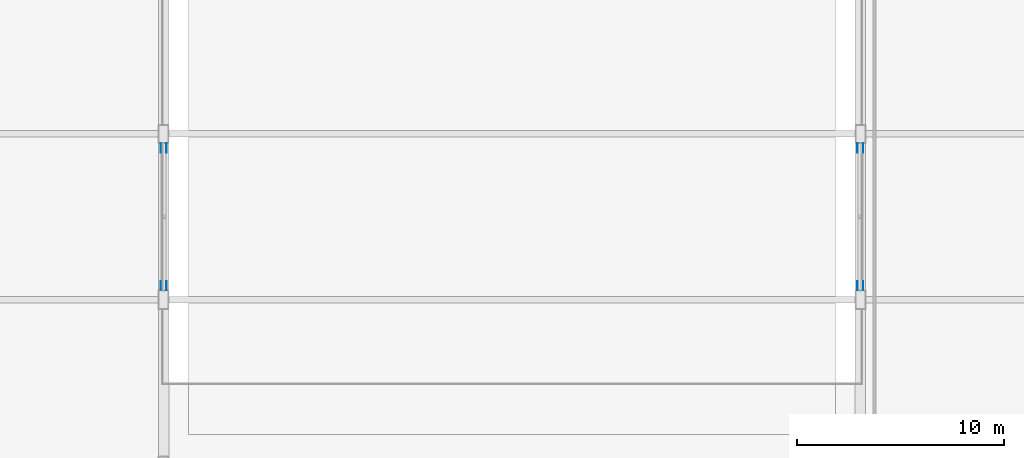
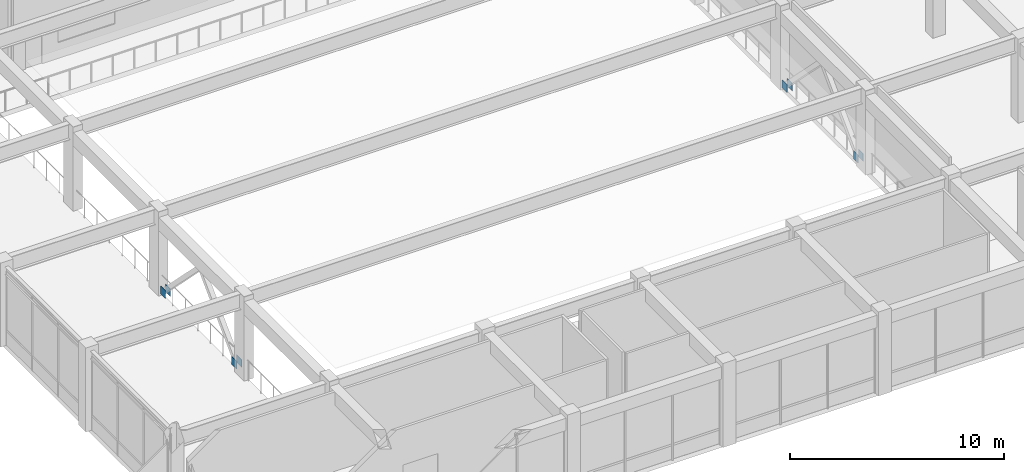
# One storey, part 70 of 76: 8 discrete accessories.
"""IFC4 building model written with IfcOpenShell, lengths in metres."""

from ifc_helpers import new_model, si_unit, direction, frame, origin, origin_2d, place, context, subcontext, project, spatial, rectangle, extrude, material, layer, layer_set, type_object, element, save


model = new_model("IFC4")

# Units and contexts
model_context = context("Model", 3, precision=1e-05, world=origin(), true_north=direction((0.0, 1.0)))
body_context = subcontext(model_context, "Body", "Model", "MODEL_VIEW")
ifc_project = project(units=[si_unit("LENGTHUNIT", "METRE"), si_unit("AREAUNIT", "SQUARE_METRE"), si_unit("VOLUMEUNIT", "CUBIC_METRE"), si_unit("PLANEANGLEUNIT", "RADIAN"), si_unit("MASSUNIT", "GRAM", prefix="KILO")], contexts=[model_context])

# Site, building, storey
site_placement = place(None, origin())
site = spatial("IfcSite", under=ifc_project, at=site_placement, CompositionType="ELEMENT")
building_placement = place(site_placement, origin())
building = spatial("IfcBuilding", under=site, at=building_placement, Name="Naruveol Harbour Congress Hotel", CompositionType="ELEMENT")
storey_placement = place(building_placement, frame((0.0, 0.0, 11.39990234375)))
storey = spatial("IfcBuildingStorey", under=building, at=storey_placement, Name="L02", CompositionType="ELEMENT", Elevation=11.39990234375)

# Discrete accessories
ifc_material = material(Name="Steel SN490", Category="steel")
ifc_layer = layer(ifc_material, 0.02001953125)
ifc_layer_set = layer_set([ifc_layer], Name="Steel SN490")
discrete_accessory_type = type_object("IfcDiscreteAccessoryType", Name="STEEL BRACE GUSSET PLATE 20", PredefinedType="USERDEFINED", material=ifc_layer_set)
for number, where, z_axis, x_axis, name in (
    (1, (75.465087890625, 80.675048828125, 0.1103515625), (0.0, 0.0, 1.0), (0.0, 1.0, 0.0), "Brace gusset plate Lateral chevron brace L02 #18A (A)"),
    (2, (75.735107421875, 80.675048828125, 0.1103515625), (0.0, 0.0, 1.0), (0.0, 1.0, 0.0), "Brace gusset plate Lateral chevron brace L02 #18A (B)"),
    (3, (75.735107421875, 87.324951171875, 0.1103515625), (0.0, 0.0, 1.0), (0.0, -1.0, 0.0), "Brace gusset plate Lateral chevron brace L02 #18B (A)"),
    (4, (75.465087890625, 87.324951171875, 0.1103515625), (0.0, 0.0, 1.0), (0.0, -1.0, 0.0), "Brace gusset plate Lateral chevron brace L02 #18B (B)"),
    (5, (109.06494140625, 80.675048828125, 0.1103515625), (0.0, 0.0, 1.0), (0.0, 1.0, 0.0), "Brace gusset plate Lateral chevron brace L02 #19A (A)"),
    (6, (109.3349609375, 80.675048828125, 0.1103515625), (0.0, 0.0, 1.0), (0.0, 1.0, 0.0), "Brace gusset plate Lateral chevron brace L02 #19A (B)"),
    (7, (109.3349609375, 87.324951171875, 0.1103515625), (0.0, 0.0, 1.0), (0.0, -1.0, 0.0), "Brace gusset plate Lateral chevron brace L02 #19B (A)"),
    (8, (109.06494140625, 87.324951171875, 0.1103515625), (0.0, 0.0, 1.0), (0.0, -1.0, 0.0), "Brace gusset plate Lateral chevron brace L02 #19B (B)"),
):
    element("IfcDiscreteAccessory", number, at=place(storey_placement, frame(where, z_axis=z_axis, x_axis=x_axis)), inside=storey, type_object=discrete_accessory_type, Name=name, ObjectType="BRACE GUSSET PLATE", PredefinedType="USERDEFINED", context=body_context, shape_type="SweptSolid", body=[
        extrude(rectangle(XDim=0.449951171875, YDim=0.02001953125, at=origin_2d()), origin(), (0.0, 0.0, 1.0), 0.449951171875),
    ])

save(model, "model.ifc")
